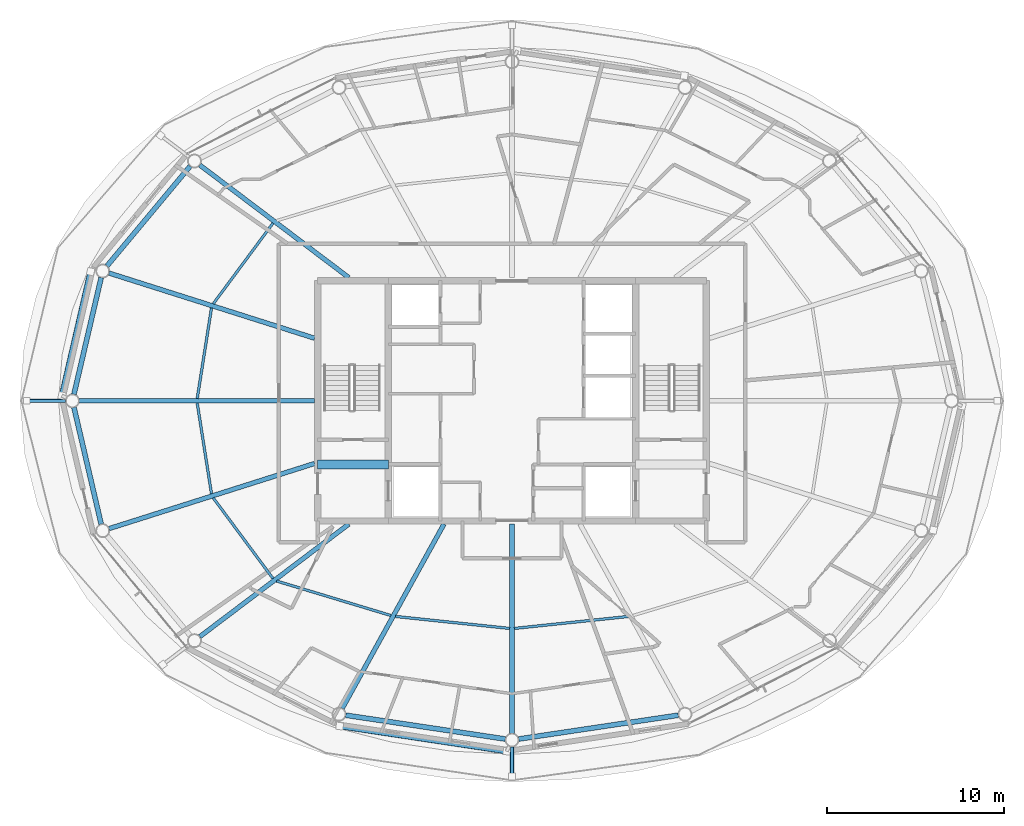
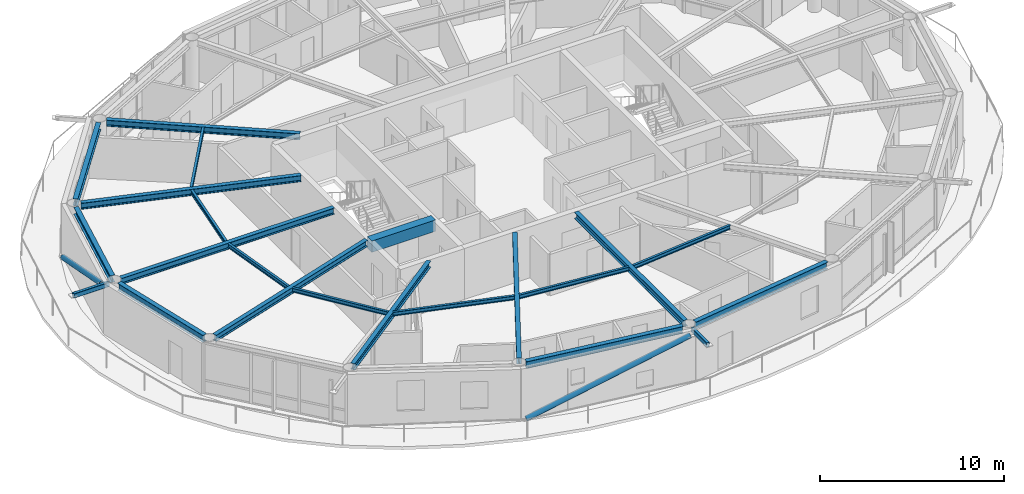
# One storey, part 4 of 23: 20 beams, 4 members.
"""IFC4 building model written with IfcOpenShell, lengths in metres."""

import ifcopenshell
import ifcopenshell.guid

model = None  # the IFC model being written
_history = None  # IfcOwnerHistory: only IFC2X3 demands one
_inside = {}  # id of a spatial element -> (the spatial element, [elements in it])
_under = {}  # id of a project, library or spatial element -> (it, [spatial elements below it])
_declared = {}  # id of a project -> (the project, [libraries it declares])
_typed = {}  # id of a type object -> (the type object, [elements of that type])
_made_of = {}  # id of a material, layer set ... -> (it, [elements and type objects made of it])


def new_model(schema):
    """Start an empty IFC model of exactly this schema.

    Asked for "IFC4X3", IfcOpenShell would pick the latest addendum, in which some entities
    have other attributes; the version numbers below select the first issue.
    IFC2X3 requires an IfcOwnerHistory on every rooted entity: one is made here for all.
    """
    global model, _history
    if schema == "IFC4X3":
        model = ifcopenshell.file(schema_version=(4, 3, 0, 0))
    else:
        model = ifcopenshell.file(schema=schema)
    _inside.clear()
    _under.clear()
    _declared.clear()
    _typed.clear()
    _made_of.clear()
    _history = None
    if model.schema == "IFC2X3":
        org = make("IfcOrganization", Name="unknown")
        user = make(
            "IfcPersonAndOrganization",
            ThePerson=make("IfcPerson", FamilyName="unknown"),
            TheOrganization=org,
        )
        app = make(
            "IfcApplication",
            ApplicationDeveloper=org,
            Version="unknown",
            ApplicationFullName="unknown",
            ApplicationIdentifier="unknown",
        )
        _history = make(
            "IfcOwnerHistory",
            OwningUser=user,
            OwningApplication=app,
            ChangeAction="ADDED",
            CreationDate=0,
        )
    return model


def make(cls, **values):
    """One entity of the class cls with the attributes given. An attribute that is None is left unset."""
    return model.create_entity(
        cls, **{name: value for name, value in values.items() if value is not None}
    )


def rooted(cls, **values):
    """An entity with a GlobalId (a new one), such as an element, a storey or a relation."""
    return make(cls, GlobalId=ifcopenshell.guid.new(), OwnerHistory=_history, **values)


def si_unit(unit_type, name, prefix=None):
    """IfcSIUnit, for example si_unit("LENGTHUNIT", "METRE", prefix="MILLI")."""
    return make("IfcSIUnit", UnitType=unit_type, Prefix=prefix, Name=name)


def assignment(units):
    """IfcUnitAssignment: the units of a project."""
    return None if units is None else make("IfcUnitAssignment", Units=units)


def point(xyz):
    """IfcCartesianPoint."""
    return None if xyz is None else make("IfcCartesianPoint", Coordinates=xyz)


def direction(xyz):
    """IfcDirection."""
    return None if xyz is None else make("IfcDirection", DirectionRatios=xyz)


def frame(location, z_axis=None, x_axis=None):
    """IfcAxis2Placement3D, a coordinate frame: its origin and axes. An axis left out is left unset."""
    return make(
        "IfcAxis2Placement3D",
        Location=point(location),
        Axis=direction(z_axis),
        RefDirection=direction(x_axis),
    )


def frame_2d(location, x_axis=None):
    """IfcAxis2Placement2D, a coordinate frame in the plane: its origin and x axis."""
    return make(
        "IfcAxis2Placement2D", Location=point(location), RefDirection=direction(x_axis)
    )


def origin():
    """The frame at (0, 0, 0) with its axes left unset."""
    return frame((0.0, 0.0, 0.0))


def origin_2d():
    """The frame at (0, 0) in the plane with its x axis left unset."""
    return frame_2d((0.0, 0.0))


def place(relative_to, where):
    """IfcLocalPlacement: puts the frame where relative to a parent placement (None: the world)."""
    return make(
        "IfcLocalPlacement", PlacementRelTo=relative_to, RelativePlacement=where
    )


def context(
    kind, dimensions, precision=None, world=None, true_north=None, identifier=None
):
    """IfcGeometricRepresentationContext, for example the 3D "Model" context."""
    return make(
        "IfcGeometricRepresentationContext",
        ContextIdentifier=identifier,
        ContextType=kind,
        CoordinateSpaceDimension=dimensions,
        Precision=precision,
        WorldCoordinateSystem=world,
        TrueNorth=true_north,
    )


def subcontext(parent, identifier, kind, view, scale=None):
    """IfcGeometricRepresentationSubContext, for example "Body" below "Model"."""
    return make(
        "IfcGeometricRepresentationSubContext",
        ContextIdentifier=identifier,
        ContextType=kind,
        ParentContext=parent,
        TargetScale=scale,
        TargetView=view,
    )


def project(units=None, contexts=None):
    """IfcProject with its units and contexts."""
    return rooted(
        "IfcProject",
        Name="project",
        RepresentationContexts=contexts,
        UnitsInContext=assignment(units),
    )


def spatial(cls, under=None, at=None, **own):
    """A site, building, storey or space (cls), placed at a placement, below another one or the project."""
    s = rooted(cls, ObjectPlacement=at, **own)
    if under is not None:
        _under.setdefault(under.id(), (under, []))[1].append(s)
    return s


def profile(cls, at=None, kind="AREA", **sizes):
    """A parametric profile (cls). Its sizes go by their IFC names, for example OverallWidth=200.0."""
    return make(cls, ProfileType=kind, Position=at, **sizes)


def rectangle(**sizes):
    """IfcRectangleProfileDef."""
    return profile("IfcRectangleProfileDef", **sizes)


def hollow_rectangle(**sizes):
    """IfcRectangleHollowProfileDef."""
    return profile("IfcRectangleHollowProfileDef", **sizes)


def hollow_circle(**sizes):
    """IfcCircleHollowProfileDef."""
    return profile("IfcCircleHollowProfileDef", **sizes)


def i_section(**sizes):
    """IfcIShapeProfileDef."""
    return profile("IfcIShapeProfileDef", **sizes)


def extrude(swept, where, along, depth):
    """IfcExtrudedAreaSolid: the profile swept, set in the frame where, extruded along a direction by depth."""
    return make(
        "IfcExtrudedAreaSolid",
        SweptArea=swept,
        Position=where,
        ExtrudedDirection=direction(along),
        Depth=depth,
    )


def shape(context_of_items, identifier, shape_type, items):
    """IfcShapeRepresentation: the items that make up one representation, for example the "Body"."""
    return make(
        "IfcShapeRepresentation",
        ContextOfItems=context_of_items,
        RepresentationIdentifier=identifier,
        RepresentationType=shape_type,
        Items=items,
    )


def material(Name=None, Category=None):
    """IfcMaterial."""
    return make("IfcMaterial", Name=Name, Category=Category)


def material_profile(
    of_material, cross_section, Name=None, Category=None, Priority=None
):
    """IfcMaterialProfile: a cross section and its material."""
    return make(
        "IfcMaterialProfile",
        Name=Name,
        Material=of_material,
        Profile=cross_section,
        Priority=Priority,
        Category=Category,
    )


def profile_set(profiles, Name=None, composite=None):
    """IfcMaterialProfileSet."""
    return make(
        "IfcMaterialProfileSet",
        Name=Name,
        MaterialProfiles=profiles,
        CompositeProfile=composite,
    )


def made_of(thing, what):
    """Note that an element or type object is made of a material, layer set ...; save() writes the relation."""
    if what is not None:
        _made_of.setdefault(what.id(), (what, []))[1].append(thing)
    return thing


def type_object(cls, material=None, **own):
    """A type object (cls), such as IfcWallType, which elements share."""
    return made_of(rooted(cls, **own), material)


def element(
    cls,
    number,
    at=None,
    inside=None,
    cuts=None,
    type_object=None,
    material=None,
    context=None,
    identifier="Body",
    shape_type=None,
    held_by="IfcProductDefinitionShape",
    body=None,
    shapes=None,
    **own,
):
    """One element of the class cls, such as IfcWall. Its Tag is "e" and its number.

    at: its placement. inside: the storey or other place that contains it. cuts: it is an
    opening in that element (IfcRelVoidsElement). A single representation is given by context,
    identifier, shape_type and body (its items); several are given by shapes. held_by: the class
    of the entity that holds the representations. save() writes the other relations.
    """
    e = rooted(cls, Tag="e%d" % number, ObjectPlacement=at, **own)
    if body is not None:
        shapes = [shape(context, identifier, shape_type, body)]
    if shapes is not None:
        e.Representation = make(held_by, Representations=shapes)
    if inside is not None:
        _inside.setdefault(inside.id(), (inside, []))[1].append(e)
    if cuts is not None:
        rooted(
            "IfcRelVoidsElement", RelatingBuildingElement=cuts, RelatedOpeningElement=e
        )
    if type_object is not None:
        _typed.setdefault(type_object.id(), (type_object, []))[1].append(e)
    return made_of(e, material)


def aggregate(whole, parts):
    """IfcRelAggregates: a whole, such as a stair, and the parts it consists of."""
    return rooted("IfcRelAggregates", RelatingObject=whole, RelatedObjects=parts)


def save(model, path):
    """Write the relations noted so far, then the file.

    IfcRelAggregates (storeys below a building ...), IfcRelContainedInSpatialStructure (elements
    in a storey), IfcRelDefinesByType, IfcRelAssociatesMaterial and IfcRelDeclares: one each for
    every whole, place, type object, material and project.
    """
    for whole, parts in _under.values():
        aggregate(whole, parts)
    for where, things in _inside.values():
        rooted(
            "IfcRelContainedInSpatialStructure",
            RelatedElements=things,
            RelatingStructure=where,
        )
    for kind, things in _typed.values():
        rooted("IfcRelDefinesByType", RelatedObjects=things, RelatingType=kind)
    for what, things in _made_of.values():
        rooted("IfcRelAssociatesMaterial", RelatedObjects=things, RelatingMaterial=what)
    for by, libraries in _declared.values():
        rooted("IfcRelDeclares", RelatingContext=by, RelatedDefinitions=libraries)
    model.write(path)


model = new_model("IFC4")

# Units and contexts
model_context = context("Model", 3, precision=1e-05, world=origin(), true_north=direction((0.0, 1.0)))
body_context = subcontext(model_context, "Body", "Model", "MODEL_VIEW")
ifc_project = project(units=[si_unit("LENGTHUNIT", "METRE"), si_unit("AREAUNIT", "SQUARE_METRE"), si_unit("VOLUMEUNIT", "CUBIC_METRE"), si_unit("PLANEANGLEUNIT", "RADIAN"), si_unit("MASSUNIT", "GRAM", prefix="KILO")], contexts=[model_context])

# Site, building, storey
site_placement = place(None, origin())
site = spatial("IfcSite", under=ifc_project, at=site_placement, CompositionType="ELEMENT")
building_placement = place(site_placement, origin())
building = spatial("IfcBuilding", under=site, at=building_placement, Name="Sarneth Arch Tower", CompositionType="ELEMENT")
storey_placement = place(building_placement, frame((0.0, 0.0, 280.199951171875)))
storey = spatial("IfcBuildingStorey", under=building, at=storey_placement, Name="L72", CompositionType="ELEMENT", Elevation=280.199951171875)

# Beams
ifc_material_1 = material(Name="Steel S355", Category="steel")
ifc_material_profile_1 = material_profile(ifc_material_1, i_section(OverallWidth=0.14794921875, OverallDepth=0.26611328125, WebThickness=0.007568359375, FlangeThickness=0.012939453125, FilletRadius=0.012939453125, at=origin_2d()), Name="W250x44.8")
ifc_profile_set_1 = profile_set([ifc_material_profile_1], Name="Steel S355")
beam_type_1 = type_object("IfcBeamType", Name="BM-JOIST-250", PredefinedType="JOIST", material=ifc_profile_set_1)
beam_1_placement = place(storey_placement, frame((34.469482421875, 52.056396484375, 3.237060546875), z_axis=(-0.595431044136, -0.803406417499, 0.0), x_axis=(0.803406417499, -0.595431044136, 0.0)))
element("IfcBeam", 1, at=beam_1_placement, inside=storey, type_object=beam_type_1, Name="L72 Secondary floor joist 07", PredefinedType="JOIST", context=body_context, shape_type="SweptSolid", body=[
    extrude(i_section(OverallWidth=0.14794921875, OverallDepth=0.26611328125, WebThickness=0.007568359375, FlangeThickness=0.012939453125, FilletRadius=0.012939453125, at=origin_2d()), origin(), (0.0, 0.0, 1.0), 5.680419921875),
])
for number, where, z_axis, x_axis, name in (
    (2, (30.989501953125, 47.259765625, 3.237060546875), (-0.155520890899, -0.987832603478, 0.0), (0.987832603478, -0.155520890899, 0.0), "L72 Secondary floor joist 08"),
    (3, (30.181640625, 41.87158203125, 3.237060546875), (0.155520890899, -0.987832603478, 0.0), (0.987832603478, 0.155520890899, 0.0), "L72 Secondary floor joist 09"),
):
    element("IfcBeam", number, at=place(storey_placement, frame(where, z_axis=z_axis, x_axis=x_axis)), inside=storey, type_object=beam_type_1, Name=name, PredefinedType="JOIST", context=body_context, shape_type="SweptSolid", body=[
        extrude(i_section(OverallWidth=0.14794921875, OverallDepth=0.26611328125, WebThickness=0.007568359375, FlangeThickness=0.012939453125, FilletRadius=0.012939453125, at=origin_2d()), origin(), (0.0, 0.0, 1.0), 5.194580078125),
    ])
beam_2_placement = place(storey_placement, frame((31.087158203125, 36.50732421875, 3.237060546875), z_axis=(0.595431044136, -0.803406417499, 0.0), x_axis=(0.803406417499, 0.595431044136, 0.0)))
element("IfcBeam", 4, at=beam_2_placement, inside=storey, type_object=beam_type_1, Name="L72 Secondary floor joist 10", PredefinedType="JOIST", context=body_context, shape_type="SweptSolid", body=[
    extrude(i_section(OverallWidth=0.14794921875, OverallDepth=0.26611328125, WebThickness=0.007568359375, FlangeThickness=0.012939453125, FilletRadius=0.012939453125, at=origin_2d()), origin(), (0.0, 0.0, 1.0), 5.680419921875),
])
beam_3_placement = place(storey_placement, frame((34.67138671875, 31.801513671875, 3.237060546875), z_axis=(0.957373106971, -0.288854174367, 0.0), x_axis=(0.288854174367, 0.957373106971, 0.0)))
element("IfcBeam", 5, at=beam_3_placement, inside=storey, type_object=beam_type_1, Name="L72 Secondary floor joist 11", PredefinedType="JOIST", context=body_context, shape_type="SweptSolid", body=[
    extrude(i_section(OverallWidth=0.14794921875, OverallDepth=0.26611328125, WebThickness=0.007568359375, FlangeThickness=0.012939453125, FilletRadius=0.012939453125, at=origin_2d()), origin(), (0.0, 0.0, 1.0), 6.76416015625),
])
for number, where, z_axis, x_axis, name in (
    (6, (41.40087890625, 29.79638671875, 3.237060546875), (0.994526818736, -0.104481609938, 0.0), (0.104481609938, 0.994526818736, 0.0), "L72 Secondary floor joist 12"),
    (7, (48.12939453125, 29.11669921875, 3.237060546875), (0.994526818736, 0.104481609938, 0.0), (-0.104481609938, 0.994526818736, 0.0), "L72 Secondary floor joist 13"),
):
    element("IfcBeam", number, at=place(storey_placement, frame(where, z_axis=z_axis, x_axis=x_axis)), inside=storey, type_object=beam_type_1, Name=name, PredefinedType="JOIST", context=body_context, shape_type="SweptSolid", body=[
        extrude(i_section(OverallWidth=0.14794921875, OverallDepth=0.26611328125, WebThickness=0.007568359375, FlangeThickness=0.012939453125, FilletRadius=0.012939453125, at=origin_2d()), origin(), (0.0, 0.0, 1.0), 6.50537109375),
    ])
ifc_material_2 = material(Name="Concrete C50/60", Category="concrete")
ifc_material_profile_2 = material_profile(ifc_material_2, rectangle(XDim=0.5, YDim=0.75, at=origin_2d()), Name="RC-500x750")
ifc_profile_set_2 = profile_set([ifc_material_profile_2], Name="Concrete C50/60")
beam_type_2 = type_object("IfcBeamType", Name="BM-LINTEL-RC", PredefinedType="LINTEL", material=ifc_profile_set_2)
beam_4_placement = place(storey_placement, frame((37.0, 38.39990234375, 2.9951171875), z_axis=(1.0, 0.0, 0.0), x_axis=(0.0, 1.0, 0.0)))
element("IfcBeam", 8, at=beam_4_placement, inside=storey, type_object=beam_type_2, Name="L72 Core coupling lintel W", PredefinedType="LINTEL", context=body_context, shape_type="SweptSolid", body=[
    extrude(rectangle(XDim=0.5, YDim=0.75, at=origin_2d()), origin(), (0.0, 0.0, 1.0), 4.0),
])
ifc_material_3 = material(Name="Steel S355", Category="steel")
ifc_material_profile_3 = material_profile(ifc_material_3, i_section(OverallWidth=0.260009765625, OverallDepth=0.4150390625, WebThickness=0.010009765625, FlangeThickness=0.016845703125, FilletRadius=0.01611328125, at=origin_2d()), Name="W410x100")
ifc_profile_set_3 = profile_set([ifc_material_profile_3], Name="Steel S355")
beam_type_3 = type_object("IfcBeamType", Name="BM-RAD-410A", PredefinedType="BEAM", material=ifc_profile_set_3)
beam_5_placement = place(storey_placement, frame((38.76513671875, 48.97509765625, 3.16259765625), z_axis=(-0.797969745164, 0.602697507713, 0.0), x_axis=(-0.602697507713, -0.797969745164, 0.0)))
element("IfcBeam", 9, at=beam_5_placement, inside=storey, type_object=beam_type_3, Name="L72 Radial floor girder 07", PredefinedType="BEAM", context=body_context, shape_type="SweptSolid", body=[
    extrude(i_section(OverallWidth=0.260009765625, OverallDepth=0.4150390625, WebThickness=0.010009765625, FlangeThickness=0.016845703125, FilletRadius=0.01611328125, at=origin_2d()), origin(), (0.0, 0.0, 1.0), 10.572265625),
])
beam_6_placement = place(storey_placement, frame((36.824951171875, 45.5439453125, 3.16259765625), z_axis=(-0.953213623044, 0.302297517096, 0.0), x_axis=(-0.302297517096, -0.953213623044, 0.0)))
element("IfcBeam", 10, at=beam_6_placement, inside=storey, type_object=beam_type_3, Name="L72 Radial floor girder 08", PredefinedType="BEAM", context=body_context, shape_type="SweptSolid", body=[
    extrude(i_section(OverallWidth=0.260009765625, OverallDepth=0.4150390625, WebThickness=0.010009765625, FlangeThickness=0.016845703125, FilletRadius=0.01611328125, at=origin_2d()), origin(), (0.0, 0.0, 1.0), 12.201416015625),
])
beam_7_placement = place(storey_placement, frame((36.824951171875, 42.0, 3.16259765625), z_axis=(-1.0, 0.0, 0.0), x_axis=(0.0, -1.0, 0.0)))
element("IfcBeam", 11, at=beam_7_placement, inside=storey, type_object=beam_type_3, Name="L72 Radial floor girder 09", PredefinedType="BEAM", context=body_context, shape_type="SweptSolid", body=[
    extrude(i_section(OverallWidth=0.260009765625, OverallDepth=0.4150390625, WebThickness=0.010009765625, FlangeThickness=0.016845703125, FilletRadius=0.01611328125, at=origin_2d()), origin(), (0.0, 0.0, 1.0), 13.3271484375),
])
beam_8_placement = place(storey_placement, frame((36.824951171875, 38.4560546875, 3.16259765625), z_axis=(-0.953213623044, -0.302297517096, 0.0), x_axis=(0.302297517096, -0.953213623044, 0.0)))
element("IfcBeam", 12, at=beam_8_placement, inside=storey, type_object=beam_type_3, Name="L72 Radial floor girder 10", PredefinedType="BEAM", context=body_context, shape_type="SweptSolid", body=[
    extrude(i_section(OverallWidth=0.260009765625, OverallDepth=0.4150390625, WebThickness=0.010009765625, FlangeThickness=0.016845703125, FilletRadius=0.01611328125, at=origin_2d()), origin(), (0.0, 0.0, 1.0), 12.201416015625),
])
beam_9_placement = place(storey_placement, frame((38.76513671875, 35.02490234375, 3.16259765625), z_axis=(-0.797969745164, -0.602697507713, 0.0), x_axis=(0.602697507713, -0.797969745164, 0.0)))
element("IfcBeam", 13, at=beam_9_placement, inside=storey, type_object=beam_type_3, Name="L72 Radial floor girder 11", PredefinedType="BEAM", context=body_context, shape_type="SweptSolid", body=[
    extrude(i_section(OverallWidth=0.260009765625, OverallDepth=0.4150390625, WebThickness=0.010009765625, FlangeThickness=0.016845703125, FilletRadius=0.01611328125, at=origin_2d()), origin(), (0.0, 0.0, 1.0), 10.572265625),
])
beam_10_placement = place(storey_placement, frame((44.150146484375, 35.02490234375, 3.16259765625), z_axis=(-0.483231193732, -0.875492783182, 0.0), x_axis=(0.875492783182, -0.483231193732, 0.0)))
element("IfcBeam", 14, at=beam_10_placement, inside=storey, type_object=beam_type_3, Name="L72 Radial floor girder 12", PredefinedType="BEAM", context=body_context, shape_type="SweptSolid", body=[
    extrude(i_section(OverallWidth=0.260009765625, OverallDepth=0.4150390625, WebThickness=0.010009765625, FlangeThickness=0.016845703125, FilletRadius=0.01611328125, at=origin_2d()), origin(), (0.0, 0.0, 1.0), 11.913330078125),
])
beam_11_placement = place(storey_placement, frame((48.0, 35.02490234375, 3.16259765625), z_axis=(0.0, -1.0, 0.0), x_axis=(1.0, 0.0, 0.0)))
element("IfcBeam", 15, at=beam_11_placement, inside=storey, type_object=beam_type_3, Name="L72 Radial floor girder 13", PredefinedType="BEAM", context=body_context, shape_type="SweptSolid", body=[
    extrude(i_section(OverallWidth=0.260009765625, OverallDepth=0.4150390625, WebThickness=0.010009765625, FlangeThickness=0.016845703125, FilletRadius=0.01611328125, at=origin_2d()), origin(), (0.0, 0.0, 1.0), 11.843994140625),
])
ifc_material_4 = material(Name="Steel S355", Category="steel")
ifc_material_profile_4 = material_profile(ifc_material_4, i_section(OverallWidth=0.280029296875, OverallDepth=0.462890625, WebThickness=0.0107421875, FlangeThickness=0.017333984375, FilletRadius=0.01806640625, at=origin_2d()), Name="W460x113")
ifc_profile_set_4 = profile_set([ifc_material_profile_4], Name="Steel S355")
beam_type_4 = type_object("IfcBeamType", Name="BM-RAD-460A", PredefinedType="BEAM", material=ifc_profile_set_4)
beam_12_placement = place(storey_placement, frame((29.78076171875, 55.283935546875, 3.138427734375), z_axis=(-0.640377192996, -0.768060577487, 0.0), x_axis=(0.768060577487, -0.640377192996, 0.0)))
element("IfcBeam", 16, at=beam_12_placement, inside=storey, type_object=beam_type_4, Name="L72 Perimeter spandrel beam 07", PredefinedType="BEAM", context=body_context, shape_type="SweptSolid", body=[
    extrude(i_section(OverallWidth=0.280029296875, OverallDepth=0.462890625, WebThickness=0.0107421875, FlangeThickness=0.017333984375, FilletRadius=0.01806640625, at=origin_2d()), origin(), (0.0, 0.0, 1.0), 7.34814453125),
])
for number, where, z_axis, x_axis, name in (
    (17, (24.74462890625, 48.9765625, 3.138427734375), (-0.227227339933, -0.973841740729, 0.0), (0.973841740729, -0.227227339933, 0.0), "L72 Perimeter spandrel beam 08"),
    (18, (23.203369140625, 41.62890625, 3.138427734375), (0.227227339933, -0.973841740729, 0.0), (0.973841740729, 0.227227339933, 0.0), "L72 Perimeter spandrel beam 09"),
):
    element("IfcBeam", number, at=place(storey_placement, frame(where, z_axis=z_axis, x_axis=x_axis)), inside=storey, type_object=beam_type_4, Name=name, PredefinedType="BEAM", context=body_context, shape_type="SweptSolid", body=[
        extrude(i_section(OverallWidth=0.280029296875, OverallDepth=0.462890625, WebThickness=0.0107421875, FlangeThickness=0.017333984375, FilletRadius=0.01806640625, at=origin_2d()), origin(), (0.0, 0.0, 1.0), 6.782958984375),
    ])
for number, where, z_axis, x_axis, name in (
    (19, (38.5859375, 24.205322265625, 3.138427734375), (0.989040174637, -0.147646648973, 0.0), (0.147646648973, 0.989040174637, 0.0), "L72 Perimeter spandrel beam 12"),
    (20, (48.376708984375, 22.856201171875, 3.138427734375), (0.989040174637, 0.147646648973, 0.0), (-0.147646648973, 0.989040174637, 0.0), "L72 Perimeter spandrel beam 13"),
):
    element("IfcBeam", number, at=place(storey_placement, frame(where, z_axis=z_axis, x_axis=x_axis)), inside=storey, type_object=beam_type_4, Name=name, PredefinedType="BEAM", context=body_context, shape_type="SweptSolid", body=[
        extrude(i_section(OverallWidth=0.280029296875, OverallDepth=0.462890625, WebThickness=0.0107421875, FlangeThickness=0.017333984375, FilletRadius=0.01806640625, at=origin_2d()), origin(), (0.0, 0.0, 1.0), 9.137451171875),
    ])

# Members
ifc_material_5 = material(Name="Steel S355", Category="steel")
ifc_material_profile_5 = material_profile(ifc_material_5, hollow_rectangle(XDim=0.199951171875, YDim=0.300048828125, WallThickness=0.012451171875, InnerFilletRadius=0.018798828125, OuterFilletRadius=0.03125, at=origin_2d()), Name="RHS300x200x12.5")
ifc_profile_set_5 = profile_set([ifc_material_profile_5], Name="Steel S355")
member_type_1 = type_object("IfcMemberType", Name="MEM-CANT-STRUT", PredefinedType="STRUT", material=ifc_profile_set_5)
member_1_placement = place(storey_placement, frame((22.73583984375, 42.0, 3.2099609375), z_axis=(-1.0, 0.0, 0.0), x_axis=(0.0, -1.0, 0.0)))
element("IfcMember", 21, at=member_1_placement, inside=storey, type_object=member_type_1, Name="L72 Balcony cantilever bracket 09", PredefinedType="STRUT", context=body_context, shape_type="SweptSolid", body=[
    extrude(hollow_rectangle(XDim=0.199951171875, YDim=0.300048828125, WallThickness=0.012451171875, InnerFilletRadius=0.018798828125, OuterFilletRadius=0.03125, at=origin_2d()), origin(), (0.0, 0.0, 1.0), 2.20849609375),
])
member_2_placement = place(storey_placement, frame((48.0, 22.4189453125, 3.2099609375), z_axis=(0.0, -1.0, 0.0), x_axis=(1.0, 0.0, 0.0)))
element("IfcMember", 22, at=member_2_placement, inside=storey, type_object=member_type_1, Name="L72 Balcony cantilever bracket 13", PredefinedType="STRUT", context=body_context, shape_type="SweptSolid", body=[
    extrude(hollow_rectangle(XDim=0.199951171875, YDim=0.300048828125, WallThickness=0.012451171875, InnerFilletRadius=0.018798828125, OuterFilletRadius=0.03125, at=origin_2d()), origin(), (0.0, 0.0, 1.0), 1.6796875),
])
ifc_material_6 = material(Name="Steel S355", Category="steel")
ifc_material_profile_6 = material_profile(ifc_material_6, hollow_circle(Radius=0.162109375, WallThickness=0.012451171875, at=origin_2d()), Name="CHS324x12.5")
ifc_profile_set_6 = profile_set([ifc_material_profile_6], Name="Steel S355")
member_type_2 = type_object("IfcMemberType", Name="MEM-DIAG-BR3", PredefinedType="BRACE", material=ifc_profile_set_6)
member_3_placement = place(storey_placement, frame((24.148193359375, 49.3154296875, 0.02001953125), z_axis=(-0.207343373373, -0.896265487877, 0.392067469651), x_axis=(0.974268900284, -0.225388797281, 0.0)))
element("IfcMember", 23, at=member_3_placement, inside=storey, type_object=member_type_2, Name="L72 Perimeter frame diagonal 08", PredefinedType="BRACE", context=body_context, shape_type="SweptSolid", body=[
    extrude(hollow_circle(Radius=0.162109375, WallThickness=0.012451171875, at=origin_2d()), origin(), (0.0, 0.0, 1.0), 7.836181640625),
])
member_4_placement = place(storey_placement, frame((38.245849609375, 23.588623046875, 0.02001953125), z_axis=(0.941471055877, -0.141762627625, 0.305835917372), x_axis=(0.148897148305, 0.988852688335, 0.0)))
element("IfcMember", 24, at=member_4_placement, inside=storey, type_object=member_type_2, Name="L72 Perimeter frame diagonal 12", PredefinedType="BRACE", context=body_context, shape_type="SweptSolid", body=[
    extrude(hollow_circle(Radius=0.162109375, WallThickness=0.012451171875, at=origin_2d()), origin(), (0.0, 0.0, 1.0), 10.04541015625),
])

save(model, "model.ifc")
